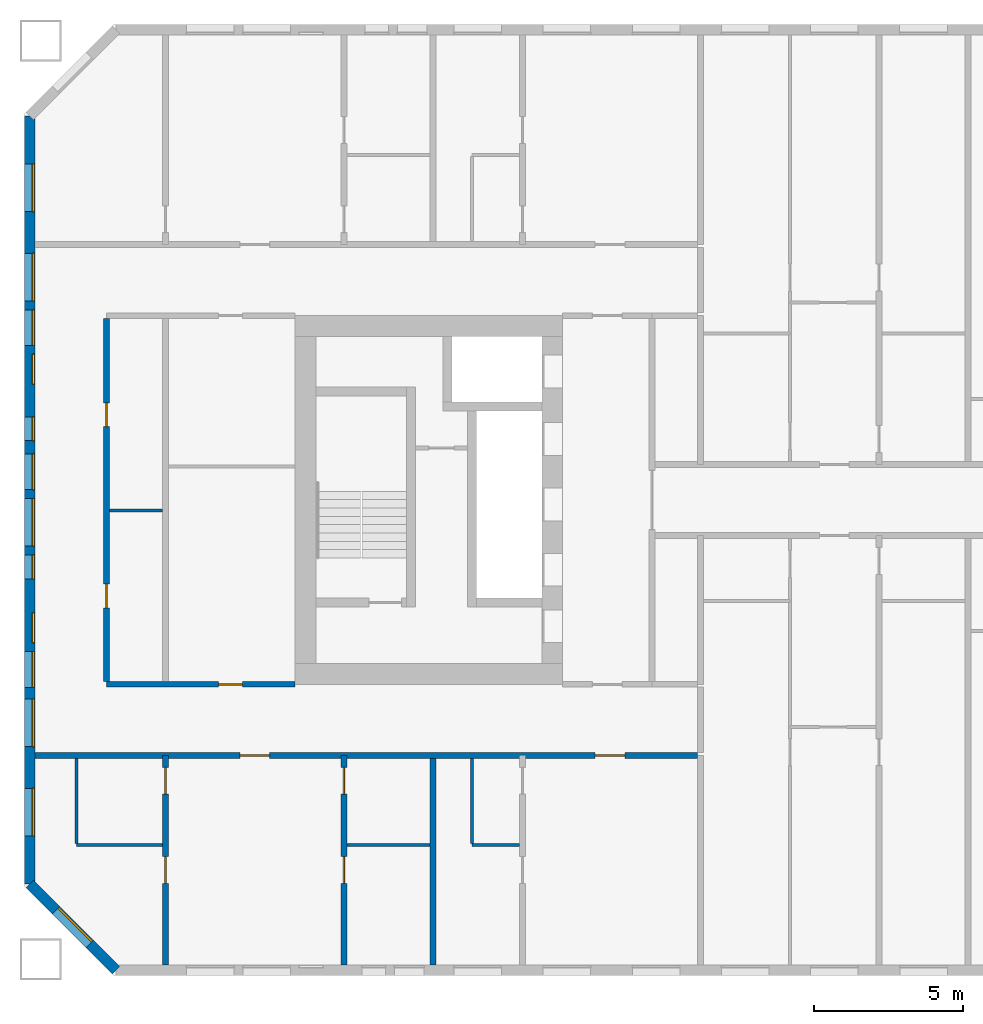
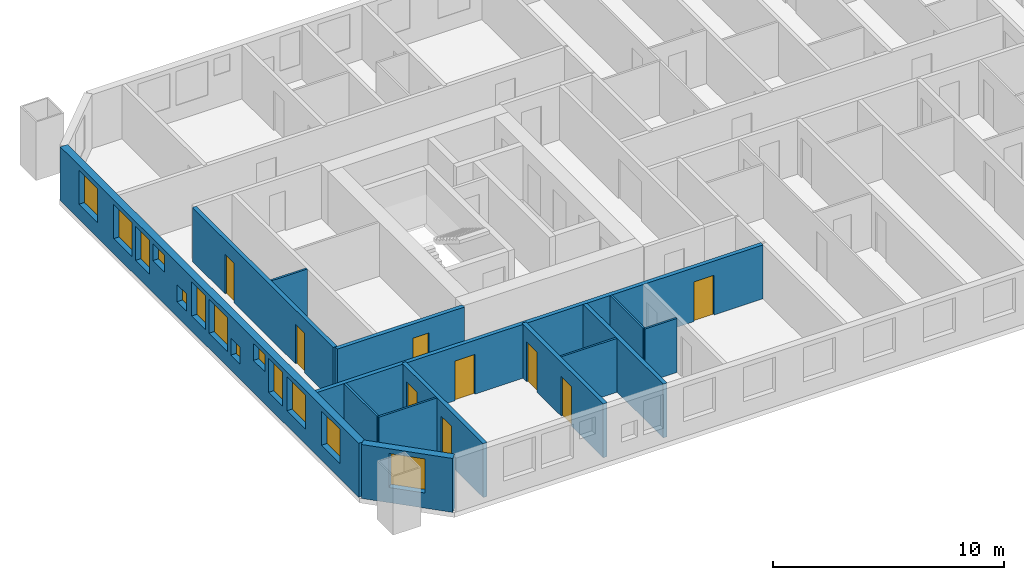
# One storey, part 2 of 17: 14 walls, 13 windows, 9 doors, 22 openings.
"""IFC4 building model written with IfcOpenShell, lengths in metres."""

from ifc_helpers import new_model, si_unit, direction, frame, frame_2d, origin, place, context, subcontext, project, spatial, rectangle, extrude, material, layer, layer_set, type_object, element, fill, save


model = new_model("IFC4")

# Units and contexts
model_context = context("Model", 3, precision=1e-05, world=origin(), true_north=direction((0.0, 1.0)))
body_context = subcontext(model_context, "Body", "Model", "MODEL_VIEW")
ifc_project = project(units=[si_unit("LENGTHUNIT", "METRE"), si_unit("AREAUNIT", "SQUARE_METRE"), si_unit("VOLUMEUNIT", "CUBIC_METRE"), si_unit("PLANEANGLEUNIT", "RADIAN"), si_unit("MASSUNIT", "GRAM", prefix="KILO")], contexts=[model_context])

# Site, building, storey
site_placement = place(None, origin())
site = spatial("IfcSite", under=ifc_project, at=site_placement, CompositionType="ELEMENT")
building_placement = place(site_placement, origin())
building = spatial("IfcBuilding", under=site, at=building_placement, Name="Tuart Gate Housing", CompositionType="ELEMENT")
storey_placement = place(building_placement, frame((0.0, 0.0, 74.699951171875)))
storey = spatial("IfcBuildingStorey", under=building, at=storey_placement, Name="L20", CompositionType="ELEMENT", Elevation=74.699951171875)

# Wall, opening, window
ifc_material_1 = material(Name="Brick", Category="masonry")
ifc_layer_1 = layer(ifc_material_1, 0.360107421875)
ifc_layer_set_1 = layer_set([ifc_layer_1], Name="Brick pier and spandrel wall 360")
wall_type_1 = type_object("IfcWallType", Name="Brick pier and spandrel wall 360", PredefinedType="STANDARD", material=ifc_layer_set_1)
wall_1_placement = place(storey_placement, frame((23.429931640625, 57.07470703125, 0.0), z_axis=(0.0, 0.0, 1.0), x_axis=(0.707106781187, -0.707106781187, 0.0)))
wall_1 = element("IfcWall", 1, at=wall_1_placement, inside=storey, type_object=wall_type_1, Name="External wall A-SW L20", PredefinedType="STANDARD", context=body_context, shape_type="SweptSolid", body=[
    extrude(rectangle(XDim=4.09375, YDim=0.360107421875, at=frame_2d((2.046875, 0.0))), origin(), (0.0, 0.0, 1.0), 2.85009765625),
])
opening_1_placement = place(wall_1_placement, frame((1.2470703125, 0.0, 0.800048828125)))
opening_1 = element("IfcOpeningElement", 2, at=opening_1_placement, cuts=wall_1, Name="Opening W1", PredefinedType="OPENING", context=body_context, shape_type="SweptSolid", body=[
    extrude(rectangle(XDim=1.60009765625, YDim=1.800048828125, at=frame_2d((0.800048828125, 0.89990234375))), frame((0.0, 0.18994140625, 0.0), z_axis=(0.0, -1.0, 0.0), x_axis=(1.0, 0.0, 0.0)), (0.0, 0.0, 1.0), 0.380126953125),
])
ifc_material_2 = material(Name="Aluminium frame with clear glass", Category="aluminium")
window_type_1 = type_object("IfcWindowType", Name="Punched window 1600 x 1800", PartitioningType="SINGLE_PANEL", PredefinedType="WINDOW", material=ifc_material_2)
window_1_placement = place(opening_1_placement, origin())
window_1 = element("IfcWindow", 3, at=window_1_placement, inside=storey, type_object=window_type_1, Name="Window W1", OverallHeight=1.800048828125, OverallWidth=1.60009765625, PartitioningType="SINGLE_PANEL", PredefinedType="WINDOW", context=body_context, shape_type="SweptSolid", body=[
    extrude(rectangle(XDim=1.60009765625, YDim=1.800048828125, at=frame_2d((0.800048828125, 0.89990234375))), frame((0.0, 0.150146484375, 0.0), z_axis=(0.0, -1.0, 0.0), x_axis=(1.0, 0.0, 0.0)), (0.0, 0.0, 1.0), 0.06005859375),
])
fill(opening_1, window_1)

# Wall, openings, windows
wall_2_placement = place(storey_placement, frame((23.429931640625, 82.92529296875, 0.0), z_axis=(0.0, 0.0, 1.0), x_axis=(0.0, -1.0, 0.0)))
wall_2 = element("IfcWall", 4, at=wall_2_placement, inside=storey, type_object=wall_type_1, Name="External wall A-W L20", PredefinedType="STANDARD", context=body_context, shape_type="SweptSolid", body=[
    extrude(rectangle(XDim=25.850830078125, YDim=0.360107421875, at=frame_2d((12.92529296875, 0.0))), origin(), (0.0, 0.0, 1.0), 2.85009765625),
])
opening_2_placement = place(wall_2_placement, frame((1.62548828125, 0.0, 0.800048828125)))
opening_2 = element("IfcOpeningElement", 5, at=opening_2_placement, cuts=wall_2, Name="Opening W1", PredefinedType="OPENING", context=body_context, shape_type="SweptSolid", body=[
    extrude(rectangle(XDim=1.60009765625, YDim=1.800048828125, at=frame_2d((0.800048828125, 0.89990234375))), frame((0.0, 0.18994140625, 0.0), z_axis=(0.0, -1.0, 0.0), x_axis=(1.0, 0.0, 0.0)), (0.0, 0.0, 1.0), 0.380126953125),
])
opening_3_placement = place(wall_2_placement, frame((4.62548828125, 0.0, 0.800048828125)))
opening_3 = element("IfcOpeningElement", 6, at=opening_3_placement, cuts=wall_2, Name="Opening W1", PredefinedType="OPENING", context=body_context, shape_type="SweptSolid", body=[
    extrude(rectangle(XDim=1.60009765625, YDim=1.800048828125, at=frame_2d((0.800048828125, 0.89990234375))), frame((0.0, 0.18994140625, 0.0), z_axis=(0.0, -1.0, 0.0), x_axis=(1.0, 0.0, 0.0)), (0.0, 0.0, 1.0), 0.380126953125),
])
opening_4_placement = place(wall_2_placement, frame((6.525390625, 0.0, 0.800048828125)))
opening_4 = element("IfcOpeningElement", 7, at=opening_4_placement, cuts=wall_2, Name="Opening W1B", PredefinedType="OPENING", context=body_context, shape_type="SweptSolid", body=[
    extrude(rectangle(XDim=1.199951171875, YDim=1.800048828125, at=frame_2d((0.60009765625, 0.89990234375))), frame((0.0, 0.18994140625, 0.0), z_axis=(0.0, -1.0, 0.0), x_axis=(1.0, 0.0, 0.0)), (0.0, 0.0, 1.0), 0.380126953125),
])
opening_5_placement = place(wall_2_placement, frame((8.025390625, 0.0, 1.699951171875)))
opening_5 = element("IfcOpeningElement", 8, at=opening_5_placement, cuts=wall_2, Name="Opening W1U", PredefinedType="OPENING", context=body_context, shape_type="SweptSolid", body=[
    extrude(rectangle(XDim=1.0, YDim=0.89990234375, at=frame_2d((0.5, 0.449951171875))), frame((0.0, 0.18994140625, 0.0), z_axis=(0.0, -1.0, 0.0), x_axis=(1.0, 0.0, 0.0)), (0.0, 0.0, 1.0), 0.380126953125),
])
opening_6_placement = place(wall_2_placement, frame((10.12548828125, 0.0, 0.800048828125)))
opening_6 = element("IfcOpeningElement", 9, at=opening_6_placement, cuts=wall_2, Name="Opening W1V", PredefinedType="OPENING", context=body_context, shape_type="SweptSolid", body=[
    extrude(rectangle(XDim=0.800048828125, YDim=0.89990234375, at=frame_2d((0.39990234375, 0.449951171875))), frame((0.0, 0.18994140625, 0.0), z_axis=(0.0, -1.0, 0.0), x_axis=(1.0, 0.0, 0.0)), (0.0, 0.0, 1.0), 0.380126953125),
])
opening_7_placement = place(wall_2_placement, frame((11.37548828125, 0.0, 0.800048828125)))
opening_7 = element("IfcOpeningElement", 10, at=opening_7_placement, cuts=wall_2, Name="Opening W1B", PredefinedType="OPENING", context=body_context, shape_type="SweptSolid", body=[
    extrude(rectangle(XDim=1.199951171875, YDim=1.800048828125, at=frame_2d((0.60009765625, 0.89990234375))), frame((0.0, 0.18994140625, 0.0), z_axis=(0.0, -1.0, 0.0), x_axis=(1.0, 0.0, 0.0)), (0.0, 0.0, 1.0), 0.380126953125),
])
opening_8_placement = place(wall_2_placement, frame((19.62548828125, 0.0, 0.800048828125)))
opening_8 = element("IfcOpeningElement", 11, at=opening_8_placement, cuts=wall_2, Name="Opening W1", PredefinedType="OPENING", context=body_context, shape_type="SweptSolid", body=[
    extrude(rectangle(XDim=1.60009765625, YDim=1.800048828125, at=frame_2d((0.800048828125, 0.89990234375))), frame((0.0, 0.18994140625, 0.0), z_axis=(0.0, -1.0, 0.0), x_axis=(1.0, 0.0, 0.0)), (0.0, 0.0, 1.0), 0.380126953125),
])
opening_9_placement = place(wall_2_placement, frame((22.62548828125, 0.0, 0.800048828125)))
opening_9 = element("IfcOpeningElement", 12, at=opening_9_placement, cuts=wall_2, Name="Opening W1", PredefinedType="OPENING", context=body_context, shape_type="SweptSolid", body=[
    extrude(rectangle(XDim=1.60009765625, YDim=1.800048828125, at=frame_2d((0.800048828125, 0.89990234375))), frame((0.0, 0.18994140625, 0.0), z_axis=(0.0, -1.0, 0.0), x_axis=(1.0, 0.0, 0.0)), (0.0, 0.0, 1.0), 0.380126953125),
])
opening_10_placement = place(wall_2_placement, frame((12.87548828125, 0.0, 0.800048828125)))
opening_10 = element("IfcOpeningElement", 13, at=opening_10_placement, cuts=wall_2, Name="Opening W1", PredefinedType="OPENING", context=body_context, shape_type="SweptSolid", body=[
    extrude(rectangle(XDim=1.60009765625, YDim=1.800048828125, at=frame_2d((0.800048828125, 0.89990234375))), frame((0.0, 0.18994140625, 0.0), z_axis=(0.0, -1.0, 0.0), x_axis=(1.0, 0.0, 0.0)), (0.0, 0.0, 1.0), 0.380126953125),
])
opening_11_placement = place(wall_2_placement, frame((14.775390625, 0.0, 0.800048828125)))
opening_11 = element("IfcOpeningElement", 14, at=opening_11_placement, cuts=wall_2, Name="Opening W1V", PredefinedType="OPENING", context=body_context, shape_type="SweptSolid", body=[
    extrude(rectangle(XDim=0.800048828125, YDim=0.89990234375, at=frame_2d((0.39990234375, 0.449951171875))), frame((0.0, 0.18994140625, 0.0), z_axis=(0.0, -1.0, 0.0), x_axis=(1.0, 0.0, 0.0)), (0.0, 0.0, 1.0), 0.380126953125),
])
opening_12_placement = place(wall_2_placement, frame((16.725341796875, 0.0, 1.699951171875)))
opening_12 = element("IfcOpeningElement", 15, at=opening_12_placement, cuts=wall_2, Name="Opening W1U", PredefinedType="OPENING", context=body_context, shape_type="SweptSolid", body=[
    extrude(rectangle(XDim=1.0, YDim=0.89990234375, at=frame_2d((0.5, 0.449951171875))), frame((0.0, 0.18994140625, 0.0), z_axis=(0.0, -1.0, 0.0), x_axis=(1.0, 0.0, 0.0)), (0.0, 0.0, 1.0), 0.380126953125),
])
opening_13_placement = place(wall_2_placement, frame((18.025390625, 0.0, 0.800048828125)))
opening_13 = element("IfcOpeningElement", 16, at=opening_13_placement, cuts=wall_2, Name="Opening W1B", PredefinedType="OPENING", context=body_context, shape_type="SweptSolid", body=[
    extrude(rectangle(XDim=1.199951171875, YDim=1.800048828125, at=frame_2d((0.60009765625, 0.89990234375))), frame((0.0, 0.18994140625, 0.0), z_axis=(0.0, -1.0, 0.0), x_axis=(1.0, 0.0, 0.0)), (0.0, 0.0, 1.0), 0.380126953125),
])
ifc_material_3 = material(Name="Aluminium frame with clear glass", Category="aluminium")
window_type_2 = type_object("IfcWindowType", Name="Punched window 1000 x 900", PartitioningType="SINGLE_PANEL", PredefinedType="WINDOW", material=ifc_material_3)
window_2_placement = place(opening_5_placement, origin())
window_2 = element("IfcWindow", 17, at=window_2_placement, inside=storey, type_object=window_type_2, Name="Window W1U", OverallHeight=0.89990234375, OverallWidth=1.0, PartitioningType="SINGLE_PANEL", PredefinedType="WINDOW", context=body_context, shape_type="SweptSolid", body=[
    extrude(rectangle(XDim=1.0, YDim=0.89990234375, at=frame_2d((0.5, 0.449951171875))), frame((0.0, 0.150146484375, 0.0), z_axis=(0.0, -1.0, 0.0), x_axis=(1.0, 0.0, 0.0)), (0.0, 0.0, 1.0), 0.06005859375),
])
fill(opening_5, window_2)
window_3_placement = place(opening_12_placement, origin())
window_3 = element("IfcWindow", 18, at=window_3_placement, inside=storey, type_object=window_type_2, Name="Window W1U", OverallHeight=0.89990234375, OverallWidth=1.0, PartitioningType="SINGLE_PANEL", PredefinedType="WINDOW", context=body_context, shape_type="SweptSolid", body=[
    extrude(rectangle(XDim=1.0, YDim=0.89990234375, at=frame_2d((0.5, 0.449951171875))), frame((0.0, 0.150146484375, 0.0), z_axis=(0.0, -1.0, 0.0), x_axis=(1.0, 0.0, 0.0)), (0.0, 0.0, 1.0), 0.06005859375),
])
fill(opening_12, window_3)
ifc_material_4 = material(Name="Aluminium frame with clear glass", Category="aluminium")
window_type_3 = type_object("IfcWindowType", Name="Punched window 1200 x 1800", PartitioningType="SINGLE_PANEL", PredefinedType="WINDOW", material=ifc_material_4)
window_4_placement = place(opening_4_placement, origin())
window_4 = element("IfcWindow", 19, at=window_4_placement, inside=storey, type_object=window_type_3, Name="Window W1B", OverallHeight=1.800048828125, OverallWidth=1.199951171875, PartitioningType="SINGLE_PANEL", PredefinedType="WINDOW", context=body_context, shape_type="SweptSolid", body=[
    extrude(rectangle(XDim=1.199951171875, YDim=1.800048828125, at=frame_2d((0.60009765625, 0.89990234375))), frame((0.0, 0.150146484375, 0.0), z_axis=(0.0, -1.0, 0.0), x_axis=(1.0, 0.0, 0.0)), (0.0, 0.0, 1.0), 0.06005859375),
])
fill(opening_4, window_4)
window_5_placement = place(opening_7_placement, origin())
window_5 = element("IfcWindow", 20, at=window_5_placement, inside=storey, type_object=window_type_3, Name="Window W1B", OverallHeight=1.800048828125, OverallWidth=1.199951171875, PartitioningType="SINGLE_PANEL", PredefinedType="WINDOW", context=body_context, shape_type="SweptSolid", body=[
    extrude(rectangle(XDim=1.199951171875, YDim=1.800048828125, at=frame_2d((0.60009765625, 0.89990234375))), frame((0.0, 0.150146484375, 0.0), z_axis=(0.0, -1.0, 0.0), x_axis=(1.0, 0.0, 0.0)), (0.0, 0.0, 1.0), 0.06005859375),
])
fill(opening_7, window_5)
window_6_placement = place(opening_13_placement, origin())
window_6 = element("IfcWindow", 21, at=window_6_placement, inside=storey, type_object=window_type_3, Name="Window W1B", OverallHeight=1.800048828125, OverallWidth=1.199951171875, PartitioningType="SINGLE_PANEL", PredefinedType="WINDOW", context=body_context, shape_type="SweptSolid", body=[
    extrude(rectangle(XDim=1.199951171875, YDim=1.800048828125, at=frame_2d((0.60009765625, 0.89990234375))), frame((0.0, 0.150146484375, 0.0), z_axis=(0.0, -1.0, 0.0), x_axis=(1.0, 0.0, 0.0)), (0.0, 0.0, 1.0), 0.06005859375),
])
fill(opening_13, window_6)
window_7_placement = place(opening_2_placement, origin())
window_7 = element("IfcWindow", 22, at=window_7_placement, inside=storey, type_object=window_type_1, Name="Window W1", OverallHeight=1.800048828125, OverallWidth=1.60009765625, PartitioningType="SINGLE_PANEL", PredefinedType="WINDOW", context=body_context, shape_type="SweptSolid", body=[
    extrude(rectangle(XDim=1.60009765625, YDim=1.800048828125, at=frame_2d((0.800048828125, 0.89990234375))), frame((0.0, 0.150146484375, 0.0), z_axis=(0.0, -1.0, 0.0), x_axis=(1.0, 0.0, 0.0)), (0.0, 0.0, 1.0), 0.06005859375),
])
fill(opening_2, window_7)
window_8_placement = place(opening_3_placement, origin())
window_8 = element("IfcWindow", 23, at=window_8_placement, inside=storey, type_object=window_type_1, Name="Window W1", OverallHeight=1.800048828125, OverallWidth=1.60009765625, PartitioningType="SINGLE_PANEL", PredefinedType="WINDOW", context=body_context, shape_type="SweptSolid", body=[
    extrude(rectangle(XDim=1.60009765625, YDim=1.800048828125, at=frame_2d((0.800048828125, 0.89990234375))), frame((0.0, 0.150146484375, 0.0), z_axis=(0.0, -1.0, 0.0), x_axis=(1.0, 0.0, 0.0)), (0.0, 0.0, 1.0), 0.06005859375),
])
fill(opening_3, window_8)
window_9_placement = place(opening_8_placement, origin())
window_9 = element("IfcWindow", 24, at=window_9_placement, inside=storey, type_object=window_type_1, Name="Window W1", OverallHeight=1.800048828125, OverallWidth=1.60009765625, PartitioningType="SINGLE_PANEL", PredefinedType="WINDOW", context=body_context, shape_type="SweptSolid", body=[
    extrude(rectangle(XDim=1.60009765625, YDim=1.800048828125, at=frame_2d((0.800048828125, 0.89990234375))), frame((0.0, 0.150146484375, 0.0), z_axis=(0.0, -1.0, 0.0), x_axis=(1.0, 0.0, 0.0)), (0.0, 0.0, 1.0), 0.06005859375),
])
fill(opening_8, window_9)
window_10_placement = place(opening_9_placement, origin())
window_10 = element("IfcWindow", 25, at=window_10_placement, inside=storey, type_object=window_type_1, Name="Window W1", OverallHeight=1.800048828125, OverallWidth=1.60009765625, PartitioningType="SINGLE_PANEL", PredefinedType="WINDOW", context=body_context, shape_type="SweptSolid", body=[
    extrude(rectangle(XDim=1.60009765625, YDim=1.800048828125, at=frame_2d((0.800048828125, 0.89990234375))), frame((0.0, 0.150146484375, 0.0), z_axis=(0.0, -1.0, 0.0), x_axis=(1.0, 0.0, 0.0)), (0.0, 0.0, 1.0), 0.06005859375),
])
fill(opening_9, window_10)
window_11_placement = place(opening_10_placement, origin())
window_11 = element("IfcWindow", 26, at=window_11_placement, inside=storey, type_object=window_type_1, Name="Window W1", OverallHeight=1.800048828125, OverallWidth=1.60009765625, PartitioningType="SINGLE_PANEL", PredefinedType="WINDOW", context=body_context, shape_type="SweptSolid", body=[
    extrude(rectangle(XDim=1.60009765625, YDim=1.800048828125, at=frame_2d((0.800048828125, 0.89990234375))), frame((0.0, 0.150146484375, 0.0), z_axis=(0.0, -1.0, 0.0), x_axis=(1.0, 0.0, 0.0)), (0.0, 0.0, 1.0), 0.06005859375),
])
fill(opening_10, window_11)
ifc_material_5 = material(Name="Aluminium frame with clear glass", Category="aluminium")
window_type_4 = type_object("IfcWindowType", Name="Punched window 800 x 900", PartitioningType="SINGLE_PANEL", PredefinedType="WINDOW", material=ifc_material_5)
window_12_placement = place(opening_6_placement, origin())
window_12 = element("IfcWindow", 27, at=window_12_placement, inside=storey, type_object=window_type_4, Name="Window W1V", OverallHeight=0.89990234375, OverallWidth=0.800048828125, PartitioningType="SINGLE_PANEL", PredefinedType="WINDOW", context=body_context, shape_type="SweptSolid", body=[
    extrude(rectangle(XDim=0.800048828125, YDim=0.89990234375, at=frame_2d((0.39990234375, 0.449951171875))), frame((0.0, 0.150146484375, 0.0), z_axis=(0.0, -1.0, 0.0), x_axis=(1.0, 0.0, 0.0)), (0.0, 0.0, 1.0), 0.06005859375),
])
fill(opening_6, window_12)
window_13_placement = place(opening_11_placement, origin())
window_13 = element("IfcWindow", 28, at=window_13_placement, inside=storey, type_object=window_type_4, Name="Window W1V", OverallHeight=0.89990234375, OverallWidth=0.800048828125, PartitioningType="SINGLE_PANEL", PredefinedType="WINDOW", context=body_context, shape_type="SweptSolid", body=[
    extrude(rectangle(XDim=0.800048828125, YDim=0.89990234375, at=frame_2d((0.39990234375, 0.449951171875))), frame((0.0, 0.150146484375, 0.0), z_axis=(0.0, -1.0, 0.0), x_axis=(1.0, 0.0, 0.0)), (0.0, 0.0, 1.0), 0.06005859375),
])
fill(opening_11, window_13)

# Wall, openings, doors
ifc_material_6 = material(Name="Concrete masonry 15 MPa", Category="masonry")
ifc_layer_2 = layer(ifc_material_6, 0.199951171875)
ifc_layer_set_2 = layer_set([ifc_layer_2], Name="Corridor wall masonry 200")
wall_type_2 = type_object("IfcWallType", Name="Corridor wall masonry 200", PredefinedType="PARTITIONING", material=ifc_layer_set_2)
wall_3_placement = place(storey_placement, frame((23.610107421875, 61.39990234375, 0.0), z_axis=(0.0, 0.0, 1.0), x_axis=(1.0, 0.0, 0.0)))
wall_3 = element("IfcWall", 29, at=wall_3_placement, inside=storey, type_object=wall_type_2, Name="Corridor wall masonry 200", PredefinedType="PARTITIONING", context=body_context, shape_type="SweptSolid", body=[
    extrude(rectangle(XDim=22.289794921875, YDim=0.199951171875, at=frame_2d((11.14501953125, 0.0))), origin(), (0.0, 0.0, 1.0), 2.85009765625),
])
opening_14_placement = place(wall_3_placement, frame((18.840087890625, 0.0, 0.0)))
opening_14 = element("IfcOpeningElement", 30, at=opening_14_placement, cuts=wall_3, Name="Opening D885", PredefinedType="OPENING", context=body_context, shape_type="SweptSolid", body=[
    extrude(rectangle(XDim=1.0, YDim=2.10009765625, at=frame_2d((0.5, 1.050048828125))), frame((0.0, 0.10986328125, 0.0), z_axis=(0.0, -1.0, 0.0), x_axis=(1.0, 0.0, 0.0)), (0.0, 0.0, 1.0), 0.219970703125),
])
opening_15_placement = place(wall_3_placement, frame((6.889892578125, 0.0, 0.0)))
opening_15 = element("IfcOpeningElement", 31, at=opening_15_placement, cuts=wall_3, Name="Opening D886", PredefinedType="OPENING", context=body_context, shape_type="SweptSolid", body=[
    extrude(rectangle(XDim=1.0, YDim=2.10009765625, at=frame_2d((0.5, 1.050048828125))), frame((0.0, 0.10986328125, 0.0), z_axis=(0.0, -1.0, 0.0), x_axis=(1.0, 0.0, 0.0)), (0.0, 0.0, 1.0), 0.219970703125),
])
ifc_material_7 = material(Name="Timber door leaf in steel frame", Category="steel")
door_type_1 = type_object("IfcDoorType", Name="Flat entrance door 1000 RH", OperationType="SINGLE_SWING_RIGHT", PredefinedType="DOOR", material=ifc_material_7)
door_1_placement = place(opening_14_placement, frame((1.0, 0.0, 0.0), z_axis=(0.0, 0.0, 1.0), x_axis=(-1.0, 0.0, 0.0)))
door_1 = element("IfcDoor", 32, at=door_1_placement, inside=storey, type_object=door_type_1, Name="Flat entrance door", OperationType="SINGLE_SWING_RIGHT", OverallHeight=2.10009765625, OverallWidth=1.0, PredefinedType="DOOR", context=body_context, shape_type="SweptSolid", body=[
    extrude(rectangle(XDim=1.0, YDim=2.10009765625, at=frame_2d((0.5, 1.050048828125))), frame((0.0, 0.025146484375, 0.0), z_axis=(0.0, -1.0, 0.0), x_axis=(1.0, 0.0, 0.0)), (0.0, 0.0, 1.0), 0.050048828125),
])
fill(opening_14, door_1)
door_2_placement = place(opening_15_placement, frame((1.0, 0.0, 0.0), z_axis=(0.0, 0.0, 1.0), x_axis=(-1.0, 0.0, 0.0)))
door_2 = element("IfcDoor", 33, at=door_2_placement, inside=storey, type_object=door_type_1, Name="Flat entrance door", OperationType="SINGLE_SWING_RIGHT", OverallHeight=2.10009765625, OverallWidth=1.0, PredefinedType="DOOR", context=body_context, shape_type="SweptSolid", body=[
    extrude(rectangle(XDim=1.0, YDim=2.10009765625, at=frame_2d((0.5, 1.050048828125))), frame((0.0, 0.025146484375, 0.0), z_axis=(0.0, -1.0, 0.0), x_axis=(1.0, 0.0, 0.0)), (0.0, 0.0, 1.0), 0.050048828125),
])
fill(opening_15, door_2)

# Wall, opening, door
wall_4_placement = place(storey_placement, frame((26.010009765625, 63.800048828125, 0.0), z_axis=(0.0, 0.0, 1.0), x_axis=(1.0, 0.0, 0.0)))
wall_4 = element("IfcWall", 34, at=wall_4_placement, inside=storey, type_object=wall_type_2, Name="Corridor wall masonry 200", PredefinedType="PARTITIONING", context=body_context, shape_type="SweptSolid", body=[
    extrude(rectangle(XDim=6.35009765625, YDim=0.199951171875, at=frame_2d((3.175048828125, 0.0))), origin(), (0.0, 0.0, 1.0), 2.85009765625),
])
opening_16_placement = place(wall_4_placement, frame((3.77001953125, 0.0, 0.0)))
opening_16 = element("IfcOpeningElement", 35, at=opening_16_placement, cuts=wall_4, Name="Opening D872", PredefinedType="OPENING", context=body_context, shape_type="SweptSolid", body=[
    extrude(rectangle(XDim=0.800048828125, YDim=2.10009765625, at=frame_2d((0.39990234375, 1.050048828125))), frame((0.0, 0.10986328125, 0.0), z_axis=(0.0, -1.0, 0.0), x_axis=(1.0, 0.0, 0.0)), (0.0, 0.0, 1.0), 0.219970703125),
])
ifc_material_8 = material(Name="Timber door leaf in steel frame", Category="steel")
door_type_2 = type_object("IfcDoorType", Name="Store door 800", OperationType="SINGLE_SWING_LEFT", PredefinedType="DOOR", material=ifc_material_8)
door_3_placement = place(opening_16_placement, origin())
door_3 = element("IfcDoor", 36, at=door_3_placement, inside=storey, type_object=door_type_2, Name="Store door", OperationType="SINGLE_SWING_LEFT", OverallHeight=2.10009765625, OverallWidth=0.800048828125, PredefinedType="DOOR", context=body_context, shape_type="SweptSolid", body=[
    extrude(rectangle(XDim=0.800048828125, YDim=2.10009765625, at=frame_2d((0.39990234375, 1.050048828125))), frame((0.0, 0.02490234375, 0.0), z_axis=(0.0, -1.0, 0.0), x_axis=(1.0, 0.0, 0.0)), (0.0, 0.0, 1.0), 0.050048828125),
])
fill(opening_16, door_3)

# Wall, openings, doors
wall_5_placement = place(storey_placement, frame((26.010009765625, 63.89990234375, 0.0), z_axis=(0.0, 0.0, 1.0), x_axis=(0.0, 1.0, 0.0)))
wall_5 = element("IfcWall", 37, at=wall_5_placement, inside=storey, type_object=wall_type_2, Name="Corridor wall masonry 200", PredefinedType="PARTITIONING", context=body_context, shape_type="SweptSolid", body=[
    extrude(rectangle(XDim=12.2001953125, YDim=0.199951171875, at=frame_2d((6.10009765625, 0.0))), origin(), (0.0, 0.0, 1.0), 2.85009765625),
])
opening_17_placement = place(wall_5_placement, frame((2.469970703125, 0.0, 0.0)))
opening_17 = element("IfcOpeningElement", 38, at=opening_17_placement, cuts=wall_5, Name="Opening D861", PredefinedType="OPENING", context=body_context, shape_type="SweptSolid", body=[
    extrude(rectangle(XDim=0.800048828125, YDim=2.10009765625, at=frame_2d((0.39990234375, 1.050048828125))), frame((0.0, 0.10986328125, 0.0), z_axis=(0.0, -1.0, 0.0), x_axis=(1.0, 0.0, 0.0)), (0.0, 0.0, 1.0), 0.219970703125),
])
opening_18_placement = place(wall_5_placement, frame((8.570068359375, 0.0, 0.0)))
opening_18 = element("IfcOpeningElement", 39, at=opening_18_placement, cuts=wall_5, Name="Opening D862", PredefinedType="OPENING", context=body_context, shape_type="SweptSolid", body=[
    extrude(rectangle(XDim=0.800048828125, YDim=2.10009765625, at=frame_2d((0.39990234375, 1.050048828125))), frame((0.0, 0.10986328125, 0.0), z_axis=(0.0, -1.0, 0.0), x_axis=(1.0, 0.0, 0.0)), (0.0, 0.0, 1.0), 0.219970703125),
])
door_4_placement = place(opening_17_placement, frame((0.800048828125, 0.0, 0.0), z_axis=(0.0, 0.0, 1.0), x_axis=(-1.0, 0.0, 0.0)))
door_4 = element("IfcDoor", 40, at=door_4_placement, inside=storey, type_object=door_type_2, Name="Store door", OperationType="SINGLE_SWING_LEFT", OverallHeight=2.10009765625, OverallWidth=0.800048828125, PredefinedType="DOOR", context=body_context, shape_type="SweptSolid", body=[
    extrude(rectangle(XDim=0.800048828125, YDim=2.10009765625, at=frame_2d((0.400146484375, 1.050048828125))), frame((0.0, 0.025146484375, 0.0), z_axis=(0.0, -1.0, 0.0), x_axis=(1.0, 0.0, 0.0)), (0.0, 0.0, 1.0), 0.050048828125),
])
fill(opening_17, door_4)
ifc_material_9 = material(Name="Timber door leaf in steel frame", Category="steel")
door_type_3 = type_object("IfcDoorType", Name="Store door 800 RH", OperationType="SINGLE_SWING_RIGHT", PredefinedType="DOOR", material=ifc_material_9)
door_5_placement = place(opening_18_placement, frame((0.800048828125, 0.0, 0.0), z_axis=(0.0, 0.0, 1.0), x_axis=(-1.0, 0.0, 0.0)))
door_5 = element("IfcDoor", 41, at=door_5_placement, inside=storey, type_object=door_type_3, Name="Store door", OperationType="SINGLE_SWING_RIGHT", OverallHeight=2.10009765625, OverallWidth=0.800048828125, PredefinedType="DOOR", context=body_context, shape_type="SweptSolid", body=[
    extrude(rectangle(XDim=0.800048828125, YDim=2.10009765625, at=frame_2d((0.400146484375, 1.050048828125))), frame((0.0, 0.025146484375, 0.0), z_axis=(0.0, -1.0, 0.0), x_axis=(1.0, 0.0, 0.0)), (0.0, 0.0, 1.0), 0.050048828125),
])
fill(opening_18, door_5)

# Walls
ifc_material_10 = material(Name="Gypsum board on steel studs", Category="steel")
ifc_layer_3 = layer(ifc_material_10, 0.10009765625)
ifc_layer_set_3 = layer_set([ifc_layer_3], Name="Partition 100")
wall_type_3 = type_object("IfcWallType", Name="Partition 100", PredefinedType="PARTITIONING", material=ifc_layer_set_3)
wall_6_placement = place(storey_placement, frame((25.0, 58.39990234375, 0.0), z_axis=(0.0, 0.0, 1.0), x_axis=(1.0, 0.0, 0.0)))
element("IfcWall", 42, at=wall_6_placement, inside=storey, type_object=wall_type_3, Name="Partition 100", PredefinedType="PARTITIONING", context=body_context, shape_type="SweptSolid", body=[
    extrude(rectangle(XDim=2.89990234375, YDim=0.10009765625, at=frame_2d((1.449951171875, 0.0))), origin(), (0.0, 0.0, 1.0), 2.85009765625),
])
wall_7_placement = place(storey_placement, frame((34.10009765625, 58.39990234375, 0.0), z_axis=(0.0, 0.0, 1.0), x_axis=(1.0, 0.0, 0.0)))
element("IfcWall", 43, at=wall_7_placement, inside=storey, type_object=wall_type_3, Name="Partition 100", PredefinedType="PARTITIONING", context=body_context, shape_type="SweptSolid", body=[
    extrude(rectangle(XDim=2.7998046875, YDim=0.10009765625, at=frame_2d((1.39990234375, 0.0))), origin(), (0.0, 0.0, 1.0), 2.85009765625),
])
wall_8_placement = place(storey_placement, frame((38.300048828125, 58.39990234375, 0.0), z_axis=(0.0, 0.0, 1.0), x_axis=(1.0, 0.0, 0.0)))
element("IfcWall", 44, at=wall_8_placement, inside=storey, type_object=wall_type_3, Name="Partition 100", PredefinedType="PARTITIONING", context=body_context, shape_type="SweptSolid", body=[
    extrude(rectangle(XDim=1.599853515625, YDim=0.10009765625, at=frame_2d((0.7998046875, 0.0))), origin(), (0.0, 0.0, 1.0), 2.85009765625),
])
wall_9_placement = place(storey_placement, frame((26.110107421875, 69.639892578125, 0.0), z_axis=(0.0, 0.0, 1.0), x_axis=(1.0, 0.0, 0.0)))
element("IfcWall", 45, at=wall_9_placement, inside=storey, type_object=wall_type_3, Name="Partition 100", PredefinedType="PARTITIONING", context=body_context, shape_type="SweptSolid", body=[
    extrude(rectangle(XDim=1.789794921875, YDim=0.10009765625, at=frame_2d((0.89501953125, 0.0))), origin(), (0.0, 0.0, 1.0), 2.85009765625),
])
for number, where, z_axis, x_axis, name in (
    (46, (25.0, 58.449951171875, 0.0), (0.0, 0.0, 1.0), (0.0, 1.0, 0.0), "Partition 100"),
    (47, (38.300048828125, 58.449951171875, 0.0), (0.0, 0.0, 1.0), (0.0, 1.0, 0.0), "Partition 100"),
):
    element("IfcWall", number, at=place(storey_placement, frame(where, z_axis=z_axis, x_axis=x_axis)), inside=storey, type_object=wall_type_3, Name=name, PredefinedType="PARTITIONING", context=body_context, shape_type="SweptSolid", body=[
        extrude(rectangle(XDim=2.85009765625, YDim=0.10009765625, at=frame_2d((1.425048828125, 0.0))), origin(), (0.0, 0.0, 1.0), 2.85009765625),
    ])

# Wall, openings, doors
ifc_material_11 = material(Name="Concrete C40", Category="concrete")
ifc_layer_4 = layer(ifc_material_11, 0.199951171875)
ifc_layer_set_4 = layer_set([ifc_layer_4], Name="Party wall concrete C40 200")
wall_type_4 = type_object("IfcWallType", Name="Party wall concrete C40 200", PredefinedType="SOLIDWALL", material=ifc_layer_set_4)
wall_10_placement = place(storey_placement, frame((28.0, 54.360107421875, 0.0), z_axis=(0.0, 0.0, 1.0), x_axis=(0.0, 1.0, 0.0)))
wall_10 = element("IfcWall", 48, at=wall_10_placement, inside=storey, type_object=wall_type_4, Name="Party wall concrete C40 200", PredefinedType="SOLIDWALL", context=body_context, shape_type="SweptSolid", body=[
    extrude(rectangle(XDim=7.039794921875, YDim=0.199951171875, at=frame_2d((3.52001953125, 0.0))), origin(), (0.0, 0.0, 1.0), 2.85009765625),
])
opening_19_placement = place(wall_10_placement, frame((2.739990234375, 0.0, 0.0)))
opening_19 = element("IfcOpeningElement", 49, at=opening_19_placement, cuts=wall_10, Name="Opening D892", PredefinedType="OPENING", context=body_context, shape_type="SweptSolid", body=[
    extrude(rectangle(XDim=0.89990234375, YDim=2.10009765625, at=frame_2d((0.449951171875, 1.050048828125))), frame((0.0, 0.10986328125, 0.0), z_axis=(0.0, -1.0, 0.0), x_axis=(1.0, 0.0, 0.0)), (0.0, 0.0, 1.0), 0.219970703125),
])
opening_20_placement = place(wall_10_placement, frame((5.739990234375, 0.0, 0.0)))
opening_20 = element("IfcOpeningElement", 50, at=opening_20_placement, cuts=wall_10, Name="Opening D891", PredefinedType="OPENING", context=body_context, shape_type="SweptSolid", body=[
    extrude(rectangle(XDim=0.89990234375, YDim=2.10009765625, at=frame_2d((0.449951171875, 1.050048828125))), frame((0.0, 0.10986328125, 0.0), z_axis=(0.0, -1.0, 0.0), x_axis=(1.0, 0.0, 0.0)), (0.0, 0.0, 1.0), 0.219970703125),
])
ifc_material_12 = material(Name="Timber door leaf in steel frame", Category="steel")
door_type_4 = type_object("IfcDoorType", Name="Bathroom door 900 RH", OperationType="SINGLE_SWING_RIGHT", PredefinedType="DOOR", material=ifc_material_12)
door_6_placement = place(opening_20_placement, origin())
door_6 = element("IfcDoor", 51, at=door_6_placement, inside=storey, type_object=door_type_4, Name="Bathroom door", OperationType="SINGLE_SWING_RIGHT", OverallHeight=2.10009765625, OverallWidth=0.89990234375, PredefinedType="DOOR", context=body_context, shape_type="SweptSolid", body=[
    extrude(rectangle(XDim=0.89990234375, YDim=2.10009765625, at=frame_2d((0.449951171875, 1.050048828125))), frame((0.0, 0.02490234375, 0.0), z_axis=(0.0, -1.0, 0.0), x_axis=(1.0, 0.0, 0.0)), (0.0, 0.0, 1.0), 0.050048828125),
])
fill(opening_20, door_6)
ifc_material_13 = material(Name="Timber door leaf in steel frame", Category="steel")
door_type_5 = type_object("IfcDoorType", Name="Internal door 900 RH", OperationType="SINGLE_SWING_RIGHT", PredefinedType="DOOR", material=ifc_material_13)
door_7_placement = place(opening_19_placement, origin())
door_7 = element("IfcDoor", 52, at=door_7_placement, inside=storey, type_object=door_type_5, Name="Internal door", OperationType="SINGLE_SWING_RIGHT", OverallHeight=2.10009765625, OverallWidth=0.89990234375, PredefinedType="DOOR", context=body_context, shape_type="SweptSolid", body=[
    extrude(rectangle(XDim=0.89990234375, YDim=2.10009765625, at=frame_2d((0.449951171875, 1.050048828125))), frame((0.0, 0.02490234375, 0.0), z_axis=(0.0, -1.0, 0.0), x_axis=(1.0, 0.0, 0.0)), (0.0, 0.0, 1.0), 0.050048828125),
])
fill(opening_19, door_7)

wall_11_placement = place(storey_placement, frame((34.0, 54.360107421875, 0.0), z_axis=(0.0, 0.0, 1.0), x_axis=(0.0, 1.0, 0.0)))
wall_11 = element("IfcWall", 53, at=wall_11_placement, inside=storey, type_object=wall_type_4, Name="Party wall concrete C40 200", PredefinedType="SOLIDWALL", context=body_context, shape_type="SweptSolid", body=[
    extrude(rectangle(XDim=7.039794921875, YDim=0.199951171875, at=frame_2d((3.52001953125, 0.0))), origin(), (0.0, 0.0, 1.0), 2.85009765625),
])
opening_21_placement = place(wall_11_placement, frame((2.739990234375, 0.0, 0.0)))
opening_21 = element("IfcOpeningElement", 54, at=opening_21_placement, cuts=wall_11, Name="Opening D894", PredefinedType="OPENING", context=body_context, shape_type="SweptSolid", body=[
    extrude(rectangle(XDim=0.89990234375, YDim=2.10009765625, at=frame_2d((0.449951171875, 1.050048828125))), frame((0.0, 0.10986328125, 0.0), z_axis=(0.0, -1.0, 0.0), x_axis=(1.0, 0.0, 0.0)), (0.0, 0.0, 1.0), 0.219970703125),
])
opening_22_placement = place(wall_11_placement, frame((5.739990234375, 0.0, 0.0)))
opening_22 = element("IfcOpeningElement", 55, at=opening_22_placement, cuts=wall_11, Name="Opening D893", PredefinedType="OPENING", context=body_context, shape_type="SweptSolid", body=[
    extrude(rectangle(XDim=0.89990234375, YDim=2.10009765625, at=frame_2d((0.449951171875, 1.050048828125))), frame((0.0, 0.10986328125, 0.0), z_axis=(0.0, -1.0, 0.0), x_axis=(1.0, 0.0, 0.0)), (0.0, 0.0, 1.0), 0.219970703125),
])
ifc_material_14 = material(Name="Timber door leaf in steel frame", Category="steel")
door_type_6 = type_object("IfcDoorType", Name="Bathroom door 900", OperationType="SINGLE_SWING_LEFT", PredefinedType="DOOR", material=ifc_material_14)
door_8_placement = place(opening_22_placement, frame((0.89990234375, 0.0, 0.0), z_axis=(0.0, 0.0, 1.0), x_axis=(-1.0, 0.0, 0.0)))
door_8 = element("IfcDoor", 56, at=door_8_placement, inside=storey, type_object=door_type_6, Name="Bathroom door", OperationType="SINGLE_SWING_LEFT", OverallHeight=2.10009765625, OverallWidth=0.89990234375, PredefinedType="DOOR", context=body_context, shape_type="SweptSolid", body=[
    extrude(rectangle(XDim=0.89990234375, YDim=2.10009765625, at=frame_2d((0.449951171875, 1.050048828125))), frame((0.0, 0.025146484375, 0.0), z_axis=(0.0, -1.0, 0.0), x_axis=(1.0, 0.0, 0.0)), (0.0, 0.0, 1.0), 0.050048828125),
])
fill(opening_22, door_8)
ifc_material_15 = material(Name="Timber door leaf in steel frame", Category="steel")
door_type_7 = type_object("IfcDoorType", Name="Internal door 900", OperationType="SINGLE_SWING_LEFT", PredefinedType="DOOR", material=ifc_material_15)
door_9_placement = place(opening_21_placement, frame((0.89990234375, 0.0, 0.0), z_axis=(0.0, 0.0, 1.0), x_axis=(-1.0, 0.0, 0.0)))
door_9 = element("IfcDoor", 57, at=door_9_placement, inside=storey, type_object=door_type_7, Name="Internal door", OperationType="SINGLE_SWING_LEFT", OverallHeight=2.10009765625, OverallWidth=0.89990234375, PredefinedType="DOOR", context=body_context, shape_type="SweptSolid", body=[
    extrude(rectangle(XDim=0.89990234375, YDim=2.10009765625, at=frame_2d((0.449951171875, 1.050048828125))), frame((0.0, 0.025146484375, 0.0), z_axis=(0.0, -1.0, 0.0), x_axis=(1.0, 0.0, 0.0)), (0.0, 0.0, 1.0), 0.050048828125),
])
fill(opening_21, door_9)

# Wall
ifc_material_16 = material(Name="Concrete masonry 15 MPa", Category="masonry")
ifc_layer_5 = layer(ifc_material_16, 0.199951171875)
ifc_layer_set_5 = layer_set([ifc_layer_5], Name="Party wall masonry 200")
wall_type_5 = type_object("IfcWallType", Name="Party wall masonry 200", PredefinedType="PARTITIONING", material=ifc_layer_set_5)
wall_12_placement = place(storey_placement, frame((37.0, 54.360107421875, 0.0), z_axis=(0.0, 0.0, 1.0), x_axis=(0.0, 1.0, 0.0)))
element("IfcWall", 58, at=wall_12_placement, inside=storey, type_object=wall_type_5, Name="Party wall masonry 200", PredefinedType="PARTITIONING", context=body_context, shape_type="SweptSolid", body=[
    extrude(rectangle(XDim=6.93994140625, YDim=0.199951171875, at=frame_2d((3.469970703125, 0.0))), origin(), (0.0, 0.0, 1.0), 2.85009765625),
])

save(model, "model.ifc")
